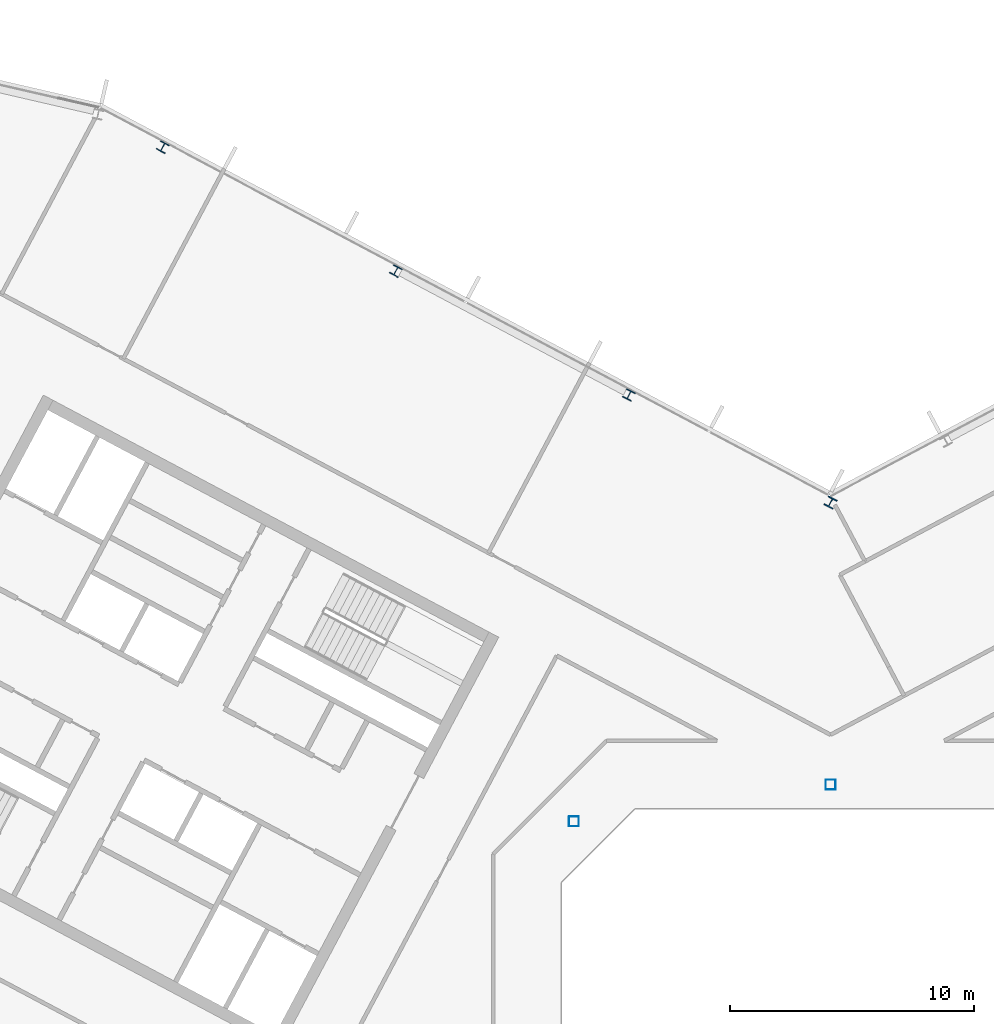
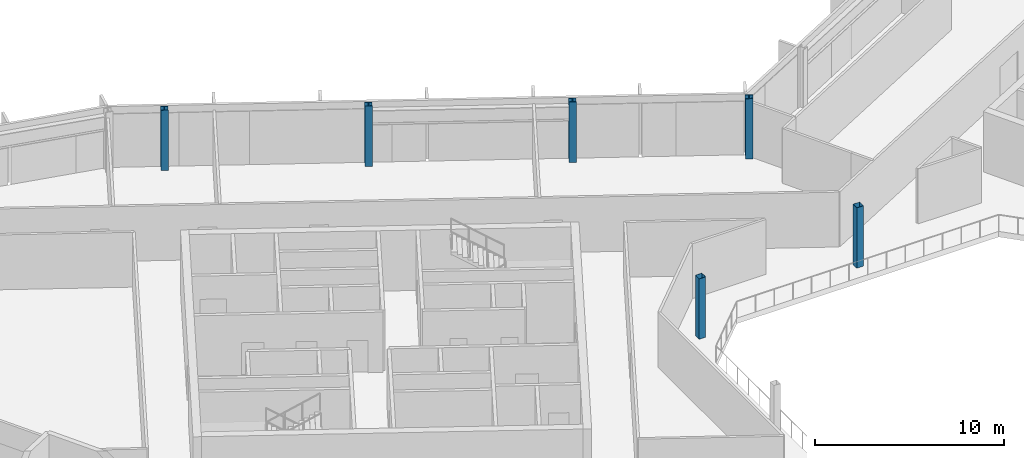
# One storey, part 4 of 26: 6 columns.
"""IFC4 building model written with IfcOpenShell, lengths in metres."""

import ifcopenshell
import ifcopenshell.guid

model = None  # the IFC model being written
_history = None  # IfcOwnerHistory: only IFC2X3 demands one
_inside = {}  # id of a spatial element -> (the spatial element, [elements in it])
_under = {}  # id of a project, library or spatial element -> (it, [spatial elements below it])
_declared = {}  # id of a project -> (the project, [libraries it declares])
_typed = {}  # id of a type object -> (the type object, [elements of that type])
_made_of = {}  # id of a material, layer set ... -> (it, [elements and type objects made of it])


def new_model(schema):
    """Start an empty IFC model of exactly this schema.

    Asked for "IFC4X3", IfcOpenShell would pick the latest addendum, in which some entities
    have other attributes; the version numbers below select the first issue.
    IFC2X3 requires an IfcOwnerHistory on every rooted entity: one is made here for all.
    """
    global model, _history
    if schema == "IFC4X3":
        model = ifcopenshell.file(schema_version=(4, 3, 0, 0))
    else:
        model = ifcopenshell.file(schema=schema)
    _inside.clear()
    _under.clear()
    _declared.clear()
    _typed.clear()
    _made_of.clear()
    _history = None
    if model.schema == "IFC2X3":
        org = make("IfcOrganization", Name="unknown")
        user = make(
            "IfcPersonAndOrganization",
            ThePerson=make("IfcPerson", FamilyName="unknown"),
            TheOrganization=org,
        )
        app = make(
            "IfcApplication",
            ApplicationDeveloper=org,
            Version="unknown",
            ApplicationFullName="unknown",
            ApplicationIdentifier="unknown",
        )
        _history = make(
            "IfcOwnerHistory",
            OwningUser=user,
            OwningApplication=app,
            ChangeAction="ADDED",
            CreationDate=0,
        )
    return model


def make(cls, **values):
    """One entity of the class cls with the attributes given. An attribute that is None is left unset."""
    return model.create_entity(
        cls, **{name: value for name, value in values.items() if value is not None}
    )


def rooted(cls, **values):
    """An entity with a GlobalId (a new one), such as an element, a storey or a relation."""
    return make(cls, GlobalId=ifcopenshell.guid.new(), OwnerHistory=_history, **values)


def si_unit(unit_type, name, prefix=None):
    """IfcSIUnit, for example si_unit("LENGTHUNIT", "METRE", prefix="MILLI")."""
    return make("IfcSIUnit", UnitType=unit_type, Prefix=prefix, Name=name)


def assignment(units):
    """IfcUnitAssignment: the units of a project."""
    return None if units is None else make("IfcUnitAssignment", Units=units)


def point(xyz):
    """IfcCartesianPoint."""
    return None if xyz is None else make("IfcCartesianPoint", Coordinates=xyz)


def direction(xyz):
    """IfcDirection."""
    return None if xyz is None else make("IfcDirection", DirectionRatios=xyz)


def frame(location, z_axis=None, x_axis=None):
    """IfcAxis2Placement3D, a coordinate frame: its origin and axes. An axis left out is left unset."""
    return make(
        "IfcAxis2Placement3D",
        Location=point(location),
        Axis=direction(z_axis),
        RefDirection=direction(x_axis),
    )


def frame_2d(location, x_axis=None):
    """IfcAxis2Placement2D, a coordinate frame in the plane: its origin and x axis."""
    return make(
        "IfcAxis2Placement2D", Location=point(location), RefDirection=direction(x_axis)
    )


def origin():
    """The frame at (0, 0, 0) with its axes left unset."""
    return frame((0.0, 0.0, 0.0))


def origin_2d():
    """The frame at (0, 0) in the plane with its x axis left unset."""
    return frame_2d((0.0, 0.0))


def place(relative_to, where):
    """IfcLocalPlacement: puts the frame where relative to a parent placement (None: the world)."""
    return make(
        "IfcLocalPlacement", PlacementRelTo=relative_to, RelativePlacement=where
    )


def context(
    kind, dimensions, precision=None, world=None, true_north=None, identifier=None
):
    """IfcGeometricRepresentationContext, for example the 3D "Model" context."""
    return make(
        "IfcGeometricRepresentationContext",
        ContextIdentifier=identifier,
        ContextType=kind,
        CoordinateSpaceDimension=dimensions,
        Precision=precision,
        WorldCoordinateSystem=world,
        TrueNorth=true_north,
    )


def subcontext(parent, identifier, kind, view, scale=None):
    """IfcGeometricRepresentationSubContext, for example "Body" below "Model"."""
    return make(
        "IfcGeometricRepresentationSubContext",
        ContextIdentifier=identifier,
        ContextType=kind,
        ParentContext=parent,
        TargetScale=scale,
        TargetView=view,
    )


def project(units=None, contexts=None):
    """IfcProject with its units and contexts."""
    return rooted(
        "IfcProject",
        Name="project",
        RepresentationContexts=contexts,
        UnitsInContext=assignment(units),
    )


def spatial(cls, under=None, at=None, **own):
    """A site, building, storey or space (cls), placed at a placement, below another one or the project."""
    s = rooted(cls, ObjectPlacement=at, **own)
    if under is not None:
        _under.setdefault(under.id(), (under, []))[1].append(s)
    return s


def profile(cls, at=None, kind="AREA", **sizes):
    """A parametric profile (cls). Its sizes go by their IFC names, for example OverallWidth=200.0."""
    return make(cls, ProfileType=kind, Position=at, **sizes)


def hollow_rectangle(**sizes):
    """IfcRectangleHollowProfileDef."""
    return profile("IfcRectangleHollowProfileDef", **sizes)


def i_section(**sizes):
    """IfcIShapeProfileDef."""
    return profile("IfcIShapeProfileDef", **sizes)


def extrude(swept, where, along, depth):
    """IfcExtrudedAreaSolid: the profile swept, set in the frame where, extruded along a direction by depth."""
    return make(
        "IfcExtrudedAreaSolid",
        SweptArea=swept,
        Position=where,
        ExtrudedDirection=direction(along),
        Depth=depth,
    )


def shape(context_of_items, identifier, shape_type, items):
    """IfcShapeRepresentation: the items that make up one representation, for example the "Body"."""
    return make(
        "IfcShapeRepresentation",
        ContextOfItems=context_of_items,
        RepresentationIdentifier=identifier,
        RepresentationType=shape_type,
        Items=items,
    )


def material(Name=None, Category=None):
    """IfcMaterial."""
    return make("IfcMaterial", Name=Name, Category=Category)


def material_profile(
    of_material, cross_section, Name=None, Category=None, Priority=None
):
    """IfcMaterialProfile: a cross section and its material."""
    return make(
        "IfcMaterialProfile",
        Name=Name,
        Material=of_material,
        Profile=cross_section,
        Priority=Priority,
        Category=Category,
    )


def profile_set(profiles, Name=None, composite=None):
    """IfcMaterialProfileSet."""
    return make(
        "IfcMaterialProfileSet",
        Name=Name,
        MaterialProfiles=profiles,
        CompositeProfile=composite,
    )


def made_of(thing, what):
    """Note that an element or type object is made of a material, layer set ...; save() writes the relation."""
    if what is not None:
        _made_of.setdefault(what.id(), (what, []))[1].append(thing)
    return thing


def type_object(cls, material=None, **own):
    """A type object (cls), such as IfcWallType, which elements share."""
    return made_of(rooted(cls, **own), material)


def element(
    cls,
    number,
    at=None,
    inside=None,
    cuts=None,
    type_object=None,
    material=None,
    context=None,
    identifier="Body",
    shape_type=None,
    held_by="IfcProductDefinitionShape",
    body=None,
    shapes=None,
    **own,
):
    """One element of the class cls, such as IfcWall. Its Tag is "e" and its number.

    at: its placement. inside: the storey or other place that contains it. cuts: it is an
    opening in that element (IfcRelVoidsElement). A single representation is given by context,
    identifier, shape_type and body (its items); several are given by shapes. held_by: the class
    of the entity that holds the representations. save() writes the other relations.
    """
    e = rooted(cls, Tag="e%d" % number, ObjectPlacement=at, **own)
    if body is not None:
        shapes = [shape(context, identifier, shape_type, body)]
    if shapes is not None:
        e.Representation = make(held_by, Representations=shapes)
    if inside is not None:
        _inside.setdefault(inside.id(), (inside, []))[1].append(e)
    if cuts is not None:
        rooted(
            "IfcRelVoidsElement", RelatingBuildingElement=cuts, RelatedOpeningElement=e
        )
    if type_object is not None:
        _typed.setdefault(type_object.id(), (type_object, []))[1].append(e)
    return made_of(e, material)


def aggregate(whole, parts):
    """IfcRelAggregates: a whole, such as a stair, and the parts it consists of."""
    return rooted("IfcRelAggregates", RelatingObject=whole, RelatedObjects=parts)


def save(model, path):
    """Write the relations noted so far, then the file.

    IfcRelAggregates (storeys below a building ...), IfcRelContainedInSpatialStructure (elements
    in a storey), IfcRelDefinesByType, IfcRelAssociatesMaterial and IfcRelDeclares: one each for
    every whole, place, type object, material and project.
    """
    for whole, parts in _under.values():
        aggregate(whole, parts)
    for where, things in _inside.values():
        rooted(
            "IfcRelContainedInSpatialStructure",
            RelatedElements=things,
            RelatingStructure=where,
        )
    for kind, things in _typed.values():
        rooted("IfcRelDefinesByType", RelatedObjects=things, RelatingType=kind)
    for what, things in _made_of.values():
        rooted("IfcRelAssociatesMaterial", RelatedObjects=things, RelatingMaterial=what)
    for by, libraries in _declared.values():
        rooted("IfcRelDeclares", RelatingContext=by, RelatedDefinitions=libraries)
    model.write(path)


model = new_model("IFC4")

# Units and contexts
model_context = context("Model", 3, precision=1e-05, world=origin(), true_north=direction((0.0, 1.0)))
body_context = subcontext(model_context, "Body", "Model", "MODEL_VIEW")
ifc_project = project(units=[si_unit("LENGTHUNIT", "METRE"), si_unit("AREAUNIT", "SQUARE_METRE"), si_unit("VOLUMEUNIT", "CUBIC_METRE"), si_unit("PLANEANGLEUNIT", "RADIAN"), si_unit("MASSUNIT", "GRAM", prefix="KILO")], contexts=[model_context])

# Site, building, storey
site_placement = place(None, origin())
site = spatial("IfcSite", under=ifc_project, at=site_placement, CompositionType="ELEMENT")
building_placement = place(site_placement, origin())
building = spatial("IfcBuilding", under=site, at=building_placement, Name="Cormorant Relay Tower", CompositionType="ELEMENT")
storey_placement = place(building_placement, frame((0.0, 0.0, 304.800048828125)))
storey = spatial("IfcBuildingStorey", under=building, at=storey_placement, Name="L69", CompositionType="ELEMENT", Elevation=304.800048828125)

# Columns
ifc_material_1 = material(Name="Steel ASTM A500 Grade C (Fy 345 MPa)", Category="steel")
ifc_material_profile_1 = material_profile(ifc_material_1, hollow_rectangle(XDim=0.406494140625, YDim=0.406494140625, WallThickness=0.0087890625, InnerFilletRadius=0.00439453125, OuterFilletRadius=0.01318359375, at=origin_2d()), Name="HSS406x406x9")
ifc_profile_set_1 = profile_set([ifc_material_profile_1], Name="Steel ASTM A500 Grade C (Fy 345 MPa)")
column_type_1 = type_object("IfcColumnType", Name="Column HSS406x406x9", PredefinedType="COLUMN", material=ifc_profile_set_1)
for number, where, z_axis, x_axis, name in (
    (1, (-10.5, 10.5, 0.0), (0.0, 0.0, 1.0), (1.0, 0.0, 0.0), "Column L69-023"),
    (2, (0.0, 12.0, 0.0), (0.0, 0.0, 1.0), (1.0, 0.0, 0.0), "Column L69-025"),
):
    element("IfcColumn", number, at=place(storey_placement, frame(where, z_axis=z_axis, x_axis=x_axis)), inside=storey, type_object=column_type_1, Name=name, PredefinedType="COLUMN", context=body_context, shape_type="SweptSolid", body=[
        extrude(hollow_rectangle(XDim=0.406494140625, YDim=0.406494140625, WallThickness=0.0087890625, InnerFilletRadius=0.00439453125, OuterFilletRadius=0.01318359375, at=origin_2d()), origin(), (0.0, 0.0, 1.0), 3.89990234375),
    ])
ifc_material_2 = material(Name="Steel ASTM A992 (Fy 345 MPa)", Category="steel")
ifc_material_profile_2 = material_profile(ifc_material_2, i_section(OverallWidth=0.398681640625, OverallDepth=0.385986328125, WebThickness=0.02099609375, FlangeThickness=0.033203125, FilletRadius=0.01513671875, at=origin_2d()), Name="W360x262")
ifc_profile_set_2 = profile_set([ifc_material_profile_2], Name="Steel ASTM A992 (Fy 345 MPa)")
column_type_2 = type_object("IfcColumnType", Name="Column W360x262", PredefinedType="COLUMN", material=ifc_profile_set_2)
for number, where, z_axis, x_axis, name in (
    (3, (-8.2470703125, 27.943115234375, 0.0), (0.0, 0.0, 1.0), (-0.882947592859, 0.469471562786, 0.0), "Column L69-032"),
    (4, (-17.782958984375, 33.012939453125, 0.0), (0.0, 0.0, 1.0), (-0.882947592859, 0.469471562786, 0.0), "Column L69-036"),
    (5, (-27.319091796875, 38.0830078125, 0.0), (0.0, 0.0, 1.0), (-0.882947592859, 0.469471562786, 0.0), "Column L69-040"),
):
    element("IfcColumn", number, at=place(storey_placement, frame(where, z_axis=z_axis, x_axis=x_axis)), inside=storey, type_object=column_type_2, Name=name, PredefinedType="COLUMN", context=body_context, shape_type="SweptSolid", body=[
        extrude(i_section(OverallWidth=0.398681640625, OverallDepth=0.385986328125, WebThickness=0.02099609375, FlangeThickness=0.033203125, FilletRadius=0.01513671875, at=origin_2d()), origin(), (0.0, 0.0, 1.0), 3.89990234375),
    ])
ifc_material_3 = material(Name="Steel ASTM A992 (Fy 345 MPa)", Category="steel")
ifc_material_profile_3 = material_profile(ifc_material_3, i_section(OverallWidth=0.40380859375, OverallDepth=0.406494140625, WebThickness=0.027099609375, FlangeThickness=0.043701171875, FilletRadius=0.01513671875, at=origin_2d()), Name="W360x347")
ifc_profile_set_3 = profile_set([ifc_material_profile_3], Name="Steel ASTM A992 (Fy 345 MPa)")
column_type_3 = type_object("IfcColumnType", Name="Column W360x347", PredefinedType="COLUMN", material=ifc_profile_set_3)
column_placement = place(storey_placement, frame((0.0, 23.5439453125, 0.0), z_axis=(0.0, 0.0, 1.0), x_axis=(-0.882947592859, 0.469471562786, 0.0)))
element("IfcColumn", 6, at=column_placement, inside=storey, type_object=column_type_3, Name="Column L69-029", PredefinedType="COLUMN", context=body_context, shape_type="SweptSolid", body=[
    extrude(i_section(OverallWidth=0.40380859375, OverallDepth=0.406494140625, WebThickness=0.027099609375, FlangeThickness=0.043701171875, FilletRadius=0.01513671875, at=origin_2d()), origin(), (0.0, 0.0, 1.0), 3.89990234375),
])

save(model, "model.ifc")
